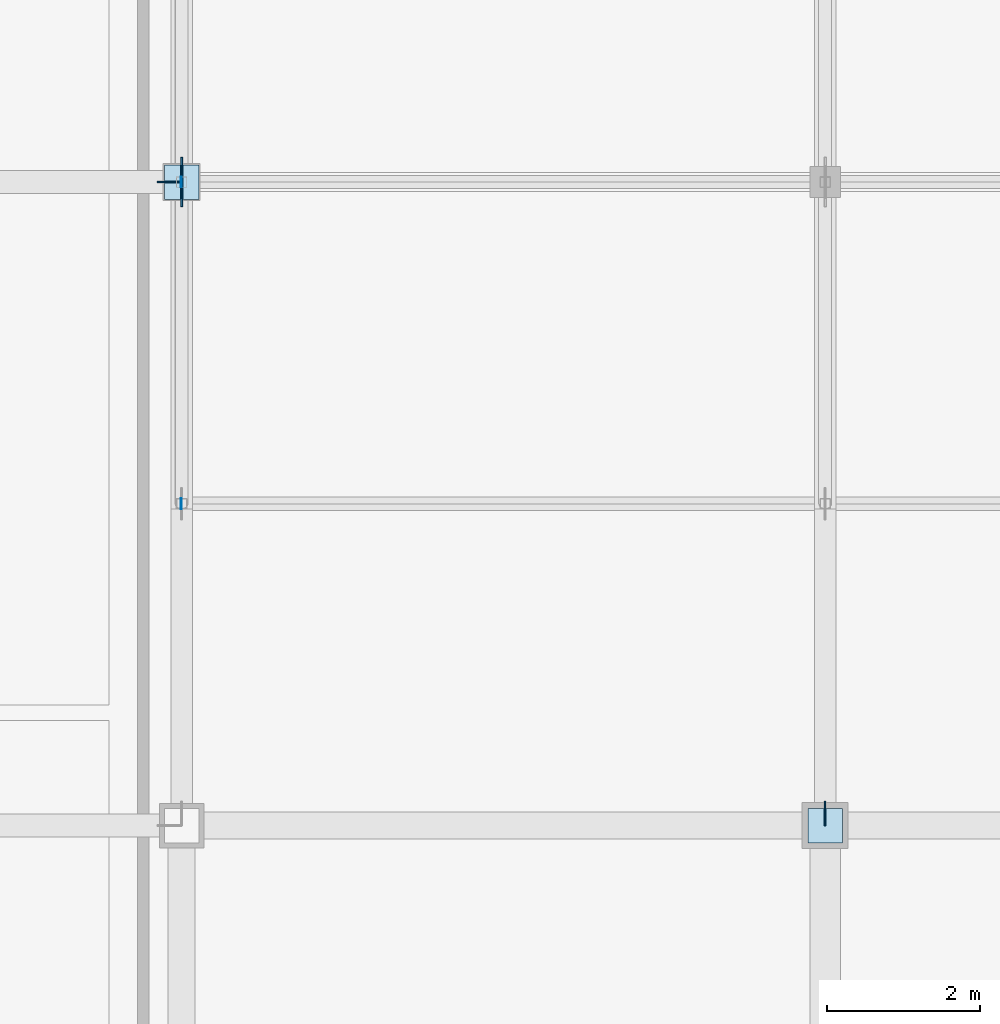
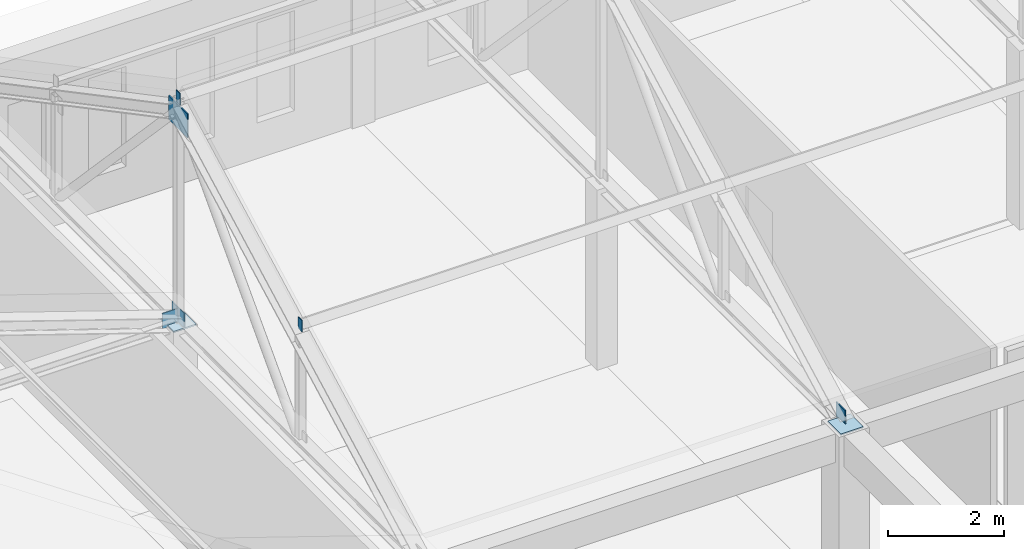
# One storey, part 35 of 56: 8 plates.
"""IFC4 building model written with IfcOpenShell, lengths in metres."""

from ifc_helpers import new_model, si_unit, direction, frame, origin, origin_2d, place, context, subcontext, project, spatial, rectangle, extrude, material, layer, layer_set, type_object, element, save


model = new_model("IFC4")

# Units and contexts
model_context = context("Model", 3, precision=1e-05, world=origin(), true_north=direction((0.0, 1.0)))
body_context = subcontext(model_context, "Body", "Model", "MODEL_VIEW")
ifc_project = project(units=[si_unit("LENGTHUNIT", "METRE"), si_unit("AREAUNIT", "SQUARE_METRE"), si_unit("VOLUMEUNIT", "CUBIC_METRE"), si_unit("PLANEANGLEUNIT", "RADIAN"), si_unit("MASSUNIT", "GRAM", prefix="KILO")], contexts=[model_context])

# Site, building, storey
site_placement = place(None, origin())
site = spatial("IfcSite", under=ifc_project, at=site_placement, CompositionType="ELEMENT")
building_placement = place(site_placement, origin())
building = spatial("IfcBuilding", under=site, at=building_placement, Name="Kveldsbrygga Polytechnic", CompositionType="ELEMENT")
storey_placement = place(building_placement, frame((0.0, 0.0, 18.02001953125)))
storey = spatial("IfcBuildingStorey", under=building, at=storey_placement, Name="L04", CompositionType="ELEMENT", Elevation=18.02001953125)

# Plates
ifc_material = material(Name="Steel S355", Category="steel")
ifc_layer_1 = layer(ifc_material, 0.030029296875)
ifc_layer_set_1 = layer_set([ifc_layer_1], Name="Steel S355")
plate_type_1 = type_object("IfcPlateType", Name="CAP-BEAR-450", PredefinedType="SHEET", material=ifc_layer_set_1)
for number, where, z_axis, x_axis, name in (
    (1, (126.0, 109.199951171875, 3.75), (0.0, 0.0, 1.0), (1.0, 0.0, 0.0), "Truss Bearing Plate V4NE5-T04-B"),
    (2, (134.39990234375, 100.800048828125, 3.75), (0.0, 0.0, 1.0), (1.0, 0.0, 0.0), "Truss Bearing Plate V4N5-T02-A"),
):
    element("IfcPlate", number, at=place(storey_placement, frame(where, z_axis=z_axis, x_axis=x_axis)), inside=storey, type_object=plate_type_1, Name=name, PredefinedType="SHEET", context=body_context, shape_type="SweptSolid", body=[
        extrude(rectangle(XDim=0.449951171875, YDim=0.449951171875, at=origin_2d()), origin(), (0.0, 0.0, 1.0), 0.030029296875),
    ])
ifc_layer_2 = layer(ifc_material, 0.011962890625)
ifc_layer_set_2 = layer_set([ifc_layer_2], Name="Steel S355")
plate_type_2 = type_object("IfcPlateType", Name="CAP-PRL-200", PredefinedType="SHEET", material=ifc_layer_set_2)
for number, where, z_axis, x_axis, name in (
    (3, (125.993896484375, 105.0, 6.1455078125), (0.0, 0.0, 1.0), (1.0, 0.0, 0.0), "Purlin End Cap Plate V4N5-EP-A-1"),
    (4, (125.993896484375, 109.199951171875, 8.3701171875), (0.0, 0.0, 1.0), (1.0, 0.0, 0.0), "Purlin End Cap Plate V4N5-EP-A-2"),
):
    element("IfcPlate", number, at=place(storey_placement, frame(where, z_axis=z_axis, x_axis=x_axis)), inside=storey, type_object=plate_type_2, Name=name, PredefinedType="SHEET", context=body_context, shape_type="SweptSolid", body=[
        extrude(rectangle(XDim=0.011962890625, YDim=0.139892578125, at=origin_2d()), origin(), (0.0, 0.0, 1.0), 0.239990234375),
    ])
ifc_layer_3 = layer(ifc_material, 0.02490234375)
ifc_layer_set_3 = layer_set([ifc_layer_3], Name="Steel S355")
plate_type_3 = type_object("IfcPlateType", Name="GUS-APEX-650", PredefinedType="SHEET", material=ifc_layer_set_3)
plate_1_placement = place(storey_placement, frame((126.0, 109.199951171875, 7.830078125), z_axis=(0.0, 0.0, 1.0), x_axis=(1.0, 0.0, 0.0)))
element("IfcPlate", 5, at=plate_1_placement, inside=storey, type_object=plate_type_3, Name="Truss Gusset Plate V4N5-T01-GP-2", PredefinedType="SHEET", context=body_context, shape_type="SweptSolid", body=[
    extrude(rectangle(XDim=0.02490234375, YDim=0.64990234375, at=origin_2d()), origin(), (0.0, 0.0, 1.0), 0.5),
])
ifc_layer_4 = layer(ifc_material, 0.01806640625)
ifc_layer_set_4 = layer_set([ifc_layer_4], Name="Steel S355")
plate_type_4 = type_object("IfcPlateType", Name="GUS-BRACE-320", PredefinedType="SHEET", material=ifc_layer_set_4)
plate_2_placement = place(storey_placement, frame((125.840087890625, 109.199951171875, 3.73974609375), z_axis=(0.0, 0.0, 1.0), x_axis=(1.0, 0.0, 0.0)))
element("IfcPlate", 6, at=plate_2_placement, inside=storey, type_object=plate_type_4, Name="Truss Eaves Node Gusset V4NE5-T04-EGP-B", PredefinedType="SHEET", context=body_context, shape_type="SweptSolid", body=[
    extrude(rectangle(XDim=0.320068359375, YDim=0.01806640625, at=origin_2d()), origin(), (0.0, 0.0, 1.0), 0.320068359375),
])
plate_3_placement = place(storey_placement, frame((134.39990234375, 100.9599609375, 3.73974609375), z_axis=(0.0, 0.0, 1.0), x_axis=(1.0, 0.0, 0.0)))
element("IfcPlate", 7, at=plate_3_placement, inside=storey, type_object=plate_type_4, Name="Truss Eaves Node Gusset V4N5-T02-EGP-A", PredefinedType="SHEET", context=body_context, shape_type="SweptSolid", body=[
    extrude(rectangle(XDim=0.01806640625, YDim=0.320068359375, at=origin_2d()), origin(), (0.0, 0.0, 1.0), 0.320068359375),
])
ifc_layer_5 = layer(ifc_material, 0.02001953125)
ifc_layer_set_5 = layer_set([ifc_layer_5], Name="Steel S355")
plate_type_5 = type_object("IfcPlateType", Name="GUS-LECT-420", PredefinedType="SHEET", material=ifc_layer_set_5)
plate_4_placement = place(storey_placement, frame((126.0, 109.199951171875, 3.724853515625), z_axis=(0.0, 0.0, 1.0), x_axis=(1.0, 0.0, 0.0)))
element("IfcPlate", 8, at=plate_4_placement, inside=storey, type_object=plate_type_5, Name="Truss Bottom-Chord Node Gusset V4N5-T01-BGP-2", PredefinedType="SHEET", context=body_context, shape_type="SweptSolid", body=[
    extrude(rectangle(XDim=0.02001953125, YDim=0.419921875, at=origin_2d()), origin(), (0.0, 0.0, 1.0), 0.35009765625),
])

save(model, "model.ifc")
